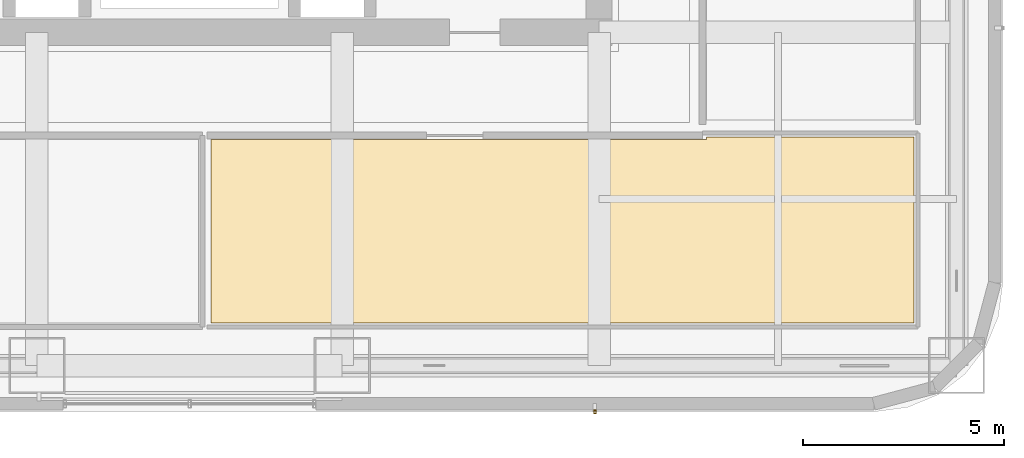
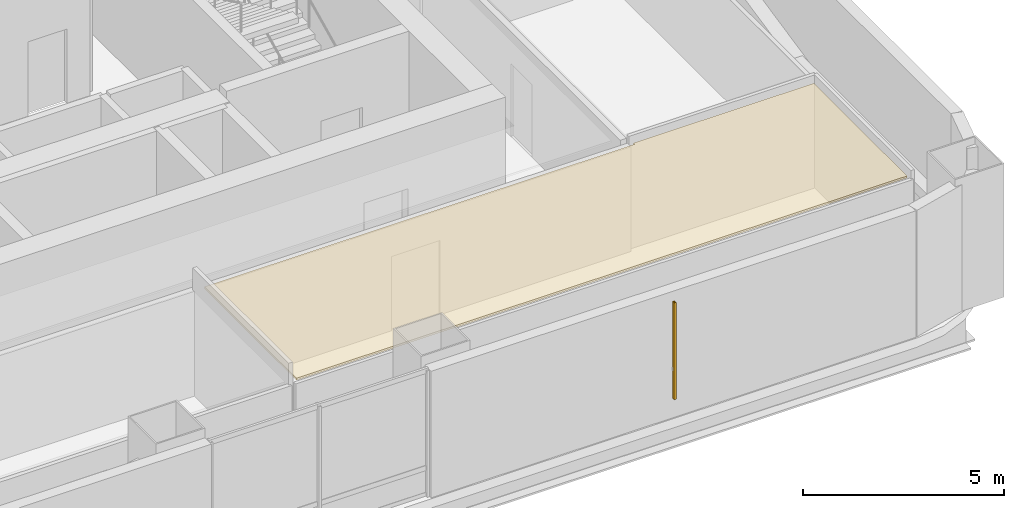
# One storey, part 27 of 32: 1 covering, 1 shading device.
"""IFC4 building model written with IfcOpenShell, lengths in metres."""

from ifc_helpers import new_model, si_unit, direction, frame, origin, origin_2d, place, context, subcontext, project, spatial, polyline, hollow_rectangle, outline, extrude, material, layer, layer_set, material_profile, profile_set, type_object, element, save


model = new_model("IFC4")

# Units and contexts
model_context = context("Model", 3, precision=1e-05, world=origin(), true_north=direction((0.0, 1.0)))
body_context = subcontext(model_context, "Body", "Model", "MODEL_VIEW")
ifc_project = project(units=[si_unit("LENGTHUNIT", "METRE"), si_unit("AREAUNIT", "SQUARE_METRE"), si_unit("VOLUMEUNIT", "CUBIC_METRE"), si_unit("PLANEANGLEUNIT", "RADIAN"), si_unit("MASSUNIT", "GRAM", prefix="KILO")], contexts=[model_context])

# Site, building, storey
site_placement = place(None, origin())
site = spatial("IfcSite", under=ifc_project, at=site_placement, CompositionType="ELEMENT")
building_placement = place(site_placement, origin())
building = spatial("IfcBuilding", under=site, at=building_placement, Name="Punatoya Terracotta Tower", CompositionType="ELEMENT")
storey_placement = place(building_placement, frame((0.0, 0.0, 139.800048828125)))
storey = spatial("IfcBuildingStorey", under=building, at=storey_placement, Name="L32", CompositionType="ELEMENT", Elevation=139.800048828125)

# Covering
ifc_material_1 = material(Name="Acoustic Mineral Fibre Ceiling")
ifc_layer = layer(ifc_material_1, 0.06005859375)
ifc_layer_set = layer_set([ifc_layer], Name="Acoustic Mineral Fibre Ceiling")
covering_type = type_object("IfcCoveringType", Name="COV-CEIL-60", PredefinedType="CEILING", material=ifc_layer_set)
covering_placement = place(storey_placement, frame((0.0, 0.0, 3.159912109375)))
element("IfcCovering", 1, at=covering_placement, inside=storey, type_object=covering_type, Name="L32 Media Broadcast Studio Acoustic Ceiling", PredefinedType="CEILING", context=body_context, shape_type="SweptSolid", body=[
    extrude(outline(polyline([(12.8701171875, -11.8701171875), (0.5380859375, -11.8701171875), (0.5380859375, -16.43994140625), (18.0400390625, -16.43994140625), (18.0400390625, -11.81005859375), (12.8701171875, -11.81005859375), (12.8701171875, -11.8701171875)])), origin(), (0.0, 0.0, 1.0), 0.06005859375),
])

# Shading device
ifc_material_2 = material(Name="Architectural Fired Terracotta", Category="masonry")
ifc_material_profile = material_profile(ifc_material_2, hollow_rectangle(XDim=0.06005859375, YDim=0.090087890625, WallThickness=0.013916015625, at=origin_2d()))
ifc_profile_set = profile_set([ifc_material_profile], Name="Architectural Fired Terracotta")
shading_device_type = type_object("IfcShadingDeviceType", Name="SHD-JALI-90", PredefinedType="JALOUSIE", material=ifc_profile_set)
shading_device_placement = place(storey_placement, frame((10.093505859375, -18.64990234375, 0.599853515625), z_axis=(0.0, 0.0, 1.0), x_axis=(1.0, 0.0, 0.0)))
element("IfcShadingDevice", 2, at=shading_device_placement, inside=storey, type_object=shading_device_type, Name="L32 Braced Bay Terracotta Jali Fin S2", PredefinedType="JALOUSIE", context=body_context, shape_type="SweptSolid", body=[
    extrude(hollow_rectangle(XDim=0.06005859375, YDim=0.090087890625, WallThickness=0.013916015625, at=origin_2d()), origin(), (0.0, 0.0, 1.0), 2.93017578125),
])

save(model, "model.ifc")
